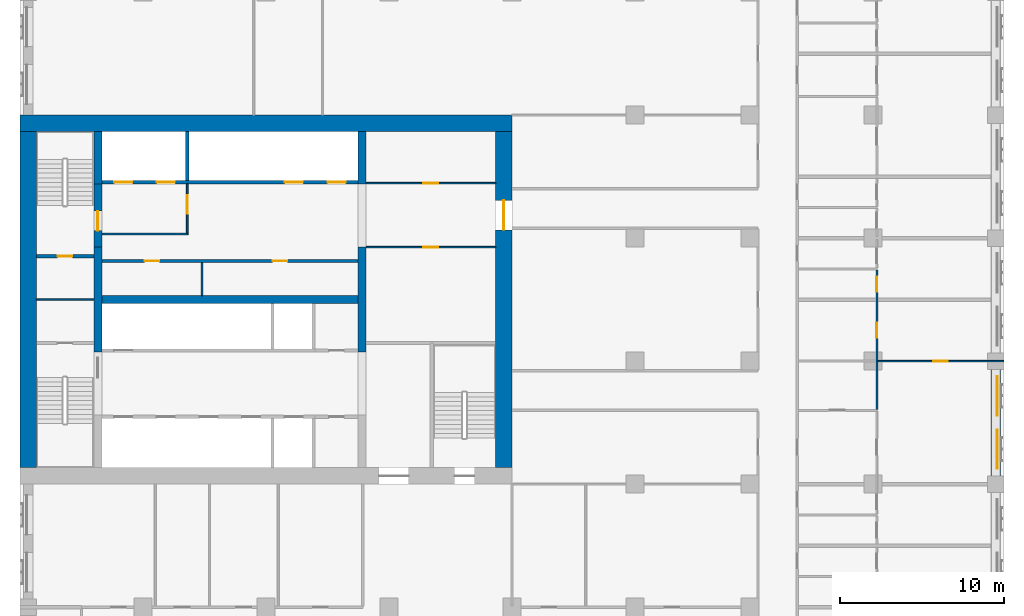
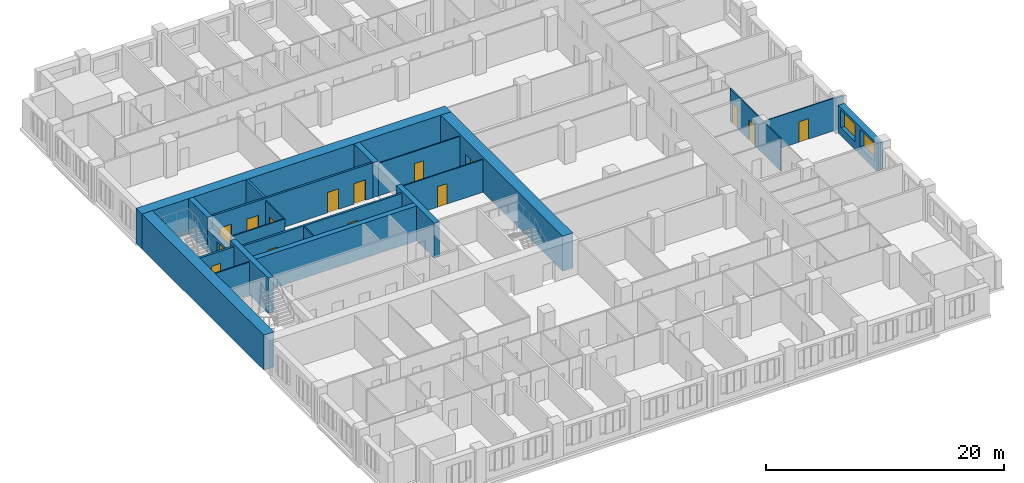
# One storey, part 8 of 15: 22 walls, 15 doors, 2 windows, 17 openings.
"""IFC4 building model written with IfcOpenShell, lengths in metres."""

from ifc_helpers import new_model, si_unit, direction, frame, frame_2d, origin, place, context, subcontext, project, spatial, rectangle, extrude, material, layer, layer_set, type_object, element, fill, save


model = new_model("IFC4")

# Units and contexts
model_context = context("Model", 3, precision=1e-05, world=origin(), true_north=direction((0.0, 1.0)))
body_context = subcontext(model_context, "Body", "Model", "MODEL_VIEW")
ifc_project = project(units=[si_unit("LENGTHUNIT", "METRE"), si_unit("AREAUNIT", "SQUARE_METRE"), si_unit("VOLUMEUNIT", "CUBIC_METRE"), si_unit("PLANEANGLEUNIT", "RADIAN"), si_unit("MASSUNIT", "GRAM", prefix="KILO")], contexts=[model_context])

# Site, building, storey
site_placement = place(None, origin())
site = spatial("IfcSite", under=ifc_project, at=site_placement, CompositionType="ELEMENT")
building_placement = place(site_placement, origin())
building = spatial("IfcBuilding", under=site, at=building_placement, Name="Tamorin Gate", CompositionType="ELEMENT")
storey_placement = place(building_placement, frame((0.0, 0.0, 111.5)))
storey = spatial("IfcBuildingStorey", under=building, at=storey_placement, Name="L27", CompositionType="ELEMENT", Elevation=111.5)

# Wall, openings, windows
ifc_material_1 = material(Name="Precast concrete C40/50", Category="concrete")
ifc_layer_1 = layer(ifc_material_1, 0.60009765625)
ifc_layer_set_1 = layer_set([ifc_layer_1], Name="Precast concrete C40/50")
wall_type_1 = type_object("IfcWallType", Name="Board-marked concrete facade panel 600", PredefinedType="SOLIDWALL", material=ifc_layer_set_1)
wall_1_placement = place(storey_placement, frame((89.5, 60.5, 0.0), z_axis=(0.0, 0.0, 1.0), x_axis=(0.0, 1.0, 0.0)))
wall_1 = element("IfcWall", 1, at=wall_1_placement, inside=storey, type_object=wall_type_1, Name="Facade panel", PredefinedType="SOLIDWALL", context=body_context, shape_type="SweptSolid", body=[
    extrude(rectangle(XDim=6.5, YDim=0.60009765625, at=frame_2d((3.25, 0.0))), origin(), (0.0, 0.0, 1.0), 2.85009765625),
])
opening_1_placement = place(wall_1_placement, frame((0.425048828125, 0.0, 0.800048828125)))
opening_1 = element("IfcOpeningElement", 2, at=opening_1_placement, cuts=wall_1, Name="Opening WN1", PredefinedType="OPENING", context=body_context, shape_type="SweptSolid", body=[
    extrude(rectangle(XDim=2.39990234375, YDim=1.800048828125, at=frame_2d((1.199951171875, 0.89990234375))), frame((0.0, 0.31005859375, 0.0), z_axis=(0.0, -1.0, 0.0), x_axis=(1.0, 0.0, 0.0)), (0.0, 0.0, 1.0), 0.6201171875),
])
opening_2_placement = place(wall_1_placement, frame((3.675048828125, 0.0, 0.800048828125)))
opening_2 = element("IfcOpeningElement", 3, at=opening_2_placement, cuts=wall_1, Name="Opening WN1", PredefinedType="OPENING", context=body_context, shape_type="SweptSolid", body=[
    extrude(rectangle(XDim=2.39990234375, YDim=1.800048828125, at=frame_2d((1.199951171875, 0.89990234375))), frame((0.0, 0.31005859375, 0.0), z_axis=(0.0, -1.0, 0.0), x_axis=(1.0, 0.0, 0.0)), (0.0, 0.0, 1.0), 0.6201171875),
])
ifc_material_2 = material(Name="Clear glass in aluminium frame", Category="aluminium")
window_type = type_object("IfcWindowType", Name="Deep-set window 2400x1800", PartitioningType="SINGLE_PANEL", PredefinedType="WINDOW", material=ifc_material_2)
window_1_placement = place(opening_1_placement, origin())
window_1 = element("IfcWindow", 4, at=window_1_placement, inside=storey, type_object=window_type, Name="Deep-set window", OverallHeight=1.800048828125, OverallWidth=2.39990234375, PartitioningType="SINGLE_PANEL", PredefinedType="WINDOW", context=body_context, shape_type="SweptSolid", body=[
    extrude(rectangle(XDim=2.39990234375, YDim=1.800048828125, at=frame_2d((1.199951171875, 0.89990234375))), frame((0.0, -0.070068359375, 0.0), z_axis=(0.0, -1.0, 0.0), x_axis=(1.0, 0.0, 0.0)), (0.0, 0.0, 1.0), 0.06005859375),
])
fill(opening_1, window_1)
window_2_placement = place(opening_2_placement, origin())
window_2 = element("IfcWindow", 5, at=window_2_placement, inside=storey, type_object=window_type, Name="Deep-set window", OverallHeight=1.800048828125, OverallWidth=2.39990234375, PartitioningType="SINGLE_PANEL", PredefinedType="WINDOW", context=body_context, shape_type="SweptSolid", body=[
    extrude(rectangle(XDim=2.39990234375, YDim=1.800048828125, at=frame_2d((1.199951171875, 0.89990234375))), frame((0.0, -0.070068359375, 0.0), z_axis=(0.0, -1.0, 0.0), x_axis=(1.0, 0.0, 0.0)), (0.0, 0.0, 1.0), 0.06005859375),
])
fill(opening_2, window_2)

# Wall, openings, doors
ifc_material_3 = material(Name="Concrete C32/40", Category="concrete")
ifc_layer_2 = layer(ifc_material_3, 0.199951171875)
ifc_layer_set_2 = layer_set([ifc_layer_2], Name="Lift lobby face wall 200 EI 120")
wall_type_2 = type_object("IfcWallType", Name="Lift lobby face wall 200 EI 120", PredefinedType="SOLIDWALL", material=ifc_layer_set_2)
wall_2_placement = place(storey_placement, frame((35.0, 78.39990234375, 0.0), z_axis=(0.0, 0.0, 1.0), x_axis=(1.0, 0.0, 0.0)))
wall_2 = element("IfcWall", 6, at=wall_2_placement, inside=storey, type_object=wall_type_2, Name="Lift lobby face wall", PredefinedType="SOLIDWALL", context=body_context, shape_type="SweptSolid", body=[
    extrude(rectangle(XDim=15.60009765625, YDim=0.199951171875, at=frame_2d((7.800048828125, 0.0))), origin(), (0.0, 0.0, 1.0), 3.60009765625),
])
opening_3_placement = place(wall_2_placement, frame((0.75, 0.0, 0.0)))
opening_3 = element("IfcOpeningElement", 7, at=opening_3_placement, cuts=wall_2, Name="Opening LD17", PredefinedType="OPENING", context=body_context, shape_type="SweptSolid", body=[
    extrude(rectangle(XDim=1.10009765625, YDim=2.10009765625, at=frame_2d((0.550048828125, 1.050048828125))), frame((0.0, 0.10986328125, 0.0), z_axis=(0.0, -1.0, 0.0), x_axis=(1.0, 0.0, 0.0)), (0.0, 0.0, 1.0), 0.219970703125),
])
opening_4_placement = place(wall_2_placement, frame((3.35009765625, 0.0, 0.0)))
opening_4 = element("IfcOpeningElement", 8, at=opening_4_placement, cuts=wall_2, Name="Opening LD18", PredefinedType="OPENING", context=body_context, shape_type="SweptSolid", body=[
    extrude(rectangle(XDim=1.10009765625, YDim=2.10009765625, at=frame_2d((0.550048828125, 1.050048828125))), frame((0.0, 0.10986328125, 0.0), z_axis=(0.0, -1.0, 0.0), x_axis=(1.0, 0.0, 0.0)), (0.0, 0.0, 1.0), 0.219970703125),
])
opening_5_placement = place(wall_2_placement, frame((11.14990234375, 0.0, 0.0)))
opening_5 = element("IfcOpeningElement", 9, at=opening_5_placement, cuts=wall_2, Name="Opening LD21", PredefinedType="OPENING", context=body_context, shape_type="SweptSolid", body=[
    extrude(rectangle(XDim=1.10009765625, YDim=2.10009765625, at=frame_2d((0.550048828125, 1.050048828125))), frame((0.0, 0.10986328125, 0.0), z_axis=(0.0, -1.0, 0.0), x_axis=(1.0, 0.0, 0.0)), (0.0, 0.0, 1.0), 0.219970703125),
])
opening_6_placement = place(wall_2_placement, frame((13.75, 0.0, 0.0)))
opening_6 = element("IfcOpeningElement", 10, at=opening_6_placement, cuts=wall_2, Name="Opening LD22", PredefinedType="OPENING", context=body_context, shape_type="SweptSolid", body=[
    extrude(rectangle(XDim=1.10009765625, YDim=2.10009765625, at=frame_2d((0.550048828125, 1.050048828125))), frame((0.0, 0.10986328125, 0.0), z_axis=(0.0, -1.0, 0.0), x_axis=(1.0, 0.0, 0.0)), (0.0, 0.0, 1.0), 0.219970703125),
])
ifc_material_4 = material(Name="Stainless steel sliding door", Category="steel")
door_type_1 = type_object("IfcDoorType", Name="Lift landing door 1100 x 2100 E 90", OperationType="DOUBLE_DOOR_SLIDING", PredefinedType="DOOR", material=ifc_material_4)
door_1_placement = place(opening_3_placement, origin())
door_1 = element("IfcDoor", 11, at=door_1_placement, inside=storey, type_object=door_type_1, Name="FF1 landing door", OperationType="DOUBLE_DOOR_SLIDING", OverallHeight=2.10009765625, OverallWidth=1.10009765625, PredefinedType="DOOR", context=body_context, shape_type="SweptSolid", body=[
    extrude(rectangle(XDim=1.10009765625, YDim=2.10009765625, at=frame_2d((0.550048828125, 1.050048828125))), frame((0.0, 0.02490234375, 0.0), z_axis=(0.0, -1.0, 0.0), x_axis=(1.0, 0.0, 0.0)), (0.0, 0.0, 1.0), 0.050048828125),
])
fill(opening_3, door_1)
door_2_placement = place(opening_4_placement, origin())
door_2 = element("IfcDoor", 12, at=door_2_placement, inside=storey, type_object=door_type_1, Name="FF2 landing door", OperationType="DOUBLE_DOOR_SLIDING", OverallHeight=2.10009765625, OverallWidth=1.10009765625, PredefinedType="DOOR", context=body_context, shape_type="SweptSolid", body=[
    extrude(rectangle(XDim=1.10009765625, YDim=2.10009765625, at=frame_2d((0.550048828125, 1.050048828125))), frame((0.0, 0.02490234375, 0.0), z_axis=(0.0, -1.0, 0.0), x_axis=(1.0, 0.0, 0.0)), (0.0, 0.0, 1.0), 0.050048828125),
])
fill(opening_4, door_2)
door_3_placement = place(opening_5_placement, origin())
door_3 = element("IfcDoor", 13, at=door_3_placement, inside=storey, type_object=door_type_1, Name="SV1 landing door", OperationType="DOUBLE_DOOR_SLIDING", OverallHeight=2.10009765625, OverallWidth=1.10009765625, PredefinedType="DOOR", context=body_context, shape_type="SweptSolid", body=[
    extrude(rectangle(XDim=1.10009765625, YDim=2.10009765625, at=frame_2d((0.550048828125, 1.050048828125))), frame((0.0, 0.02490234375, 0.0), z_axis=(0.0, -1.0, 0.0), x_axis=(1.0, 0.0, 0.0)), (0.0, 0.0, 1.0), 0.050048828125),
])
fill(opening_5, door_3)
door_4_placement = place(opening_6_placement, origin())
door_4 = element("IfcDoor", 14, at=door_4_placement, inside=storey, type_object=door_type_1, Name="SV2 landing door", OperationType="DOUBLE_DOOR_SLIDING", OverallHeight=2.10009765625, OverallWidth=1.10009765625, PredefinedType="DOOR", context=body_context, shape_type="SweptSolid", body=[
    extrude(rectangle(XDim=1.10009765625, YDim=2.10009765625, at=frame_2d((0.550048828125, 1.050048828125))), frame((0.0, 0.02490234375, 0.0), z_axis=(0.0, -1.0, 0.0), x_axis=(1.0, 0.0, 0.0)), (0.0, 0.0, 1.0), 0.050048828125),
])
fill(opening_6, door_4)

# Walls
ifc_layer_3 = layer(ifc_material_3, 0.199951171875)
ifc_layer_set_3 = layer_set([ifc_layer_3], Name="Lift shaft wall 200 EI 120")
wall_type_3 = type_object("IfcWallType", Name="Lift shaft wall 200 EI 120", PredefinedType="SOLIDWALL", material=ifc_layer_set_3)
wall_3_placement = place(storey_placement, frame((40.199951171875, 78.5, 0.0), z_axis=(0.0, 0.0, 1.0), x_axis=(0.0, 1.0, 0.0)))
element("IfcWall", 15, at=wall_3_placement, inside=storey, type_object=wall_type_3, Name="Lift shaft wall", PredefinedType="SOLIDWALL", context=body_context, shape_type="SweptSolid", body=[
    extrude(rectangle(XDim=3.0, YDim=0.199951171875, at=frame_2d((1.5, 0.0))), origin(), (0.0, 0.0, 1.0), 3.60009765625),
])
ifc_material_5 = material(Name="Fire-rated gypsum board partition")
ifc_layer_4 = layer(ifc_material_5, 0.10009765625)
ifc_layer_set_4 = layer_set([ifc_layer_4], Name="Lobby wall 100 EI 60")
wall_type_4 = type_object("IfcWallType", Name="Lobby wall 100 EI 60", PredefinedType="PARTITIONING", material=ifc_layer_set_4)
wall_4_placement = place(storey_placement, frame((35.0, 75.25, 0.0), z_axis=(0.0, 0.0, 1.0), x_axis=(1.0, 0.0, 0.0)))
element("IfcWall", 16, at=wall_4_placement, inside=storey, type_object=wall_type_4, Name="Firefighting lobby wall", PredefinedType="PARTITIONING", context=body_context, shape_type="SweptSolid", body=[
    extrude(rectangle(XDim=5.25, YDim=0.10009765625, at=frame_2d((2.625, 0.0))), origin(), (0.0, 0.0, 1.0), 3.35009765625),
])

# Wall, opening, door
wall_5_placement = place(storey_placement, frame((40.199951171875, 75.300048828125, 0.0), z_axis=(0.0, 0.0, 1.0), x_axis=(0.0, 1.0, 0.0)))
wall_5 = element("IfcWall", 17, at=wall_5_placement, inside=storey, type_object=wall_type_4, Name="Firefighting lobby wall", PredefinedType="PARTITIONING", context=body_context, shape_type="SweptSolid", body=[
    extrude(rectangle(XDim=3.0, YDim=0.10009765625, at=frame_2d((1.5, 0.0))), origin(), (0.0, 0.0, 1.0), 3.35009765625),
])
opening_7_placement = place(wall_5_placement, frame((1.199951171875, 0.0, 0.0)))
opening_7 = element("IfcOpeningElement", 18, at=opening_7_placement, cuts=wall_5, Name="Opening DF1", PredefinedType="OPENING", context=body_context, shape_type="SweptSolid", body=[
    extrude(rectangle(XDim=1.10009765625, YDim=2.10009765625, at=frame_2d((0.550048828125, 1.050048828125))), frame((0.0, 0.06005859375, 0.0), z_axis=(0.0, -1.0, 0.0), x_axis=(1.0, 0.0, 0.0)), (0.0, 0.0, 1.0), 0.1201171875),
])
ifc_material_6 = material(Name="Steel fire door", Category="steel")
door_type_2 = type_object("IfcDoorType", Name="Firefighting lobby door 1100 x 2100 EI 90", OperationType="SINGLE_SWING_LEFT", PredefinedType="DOOR", material=ifc_material_6)
door_5_placement = place(opening_7_placement, origin())
door_5 = element("IfcDoor", 19, at=door_5_placement, inside=storey, type_object=door_type_2, Name="Firefighting lobby door", OperationType="SINGLE_SWING_LEFT", OverallHeight=2.10009765625, OverallWidth=1.10009765625, PredefinedType="DOOR", context=body_context, shape_type="SweptSolid", body=[
    extrude(rectangle(XDim=1.10009765625, YDim=2.10009765625, at=frame_2d((0.550048828125, 1.050048828125))), frame((0.0, 0.02490234375, 0.0), z_axis=(0.0, -1.0, 0.0), x_axis=(1.0, 0.0, 0.0)), (0.0, 0.0, 1.0), 0.050048828125),
])
fill(opening_7, door_5)

# Walls
ifc_material_7 = material(Name="Concrete C80/95", Category="concrete")
ifc_layer_5 = layer(ifc_material_7, 0.5)
ifc_layer_set_5 = layer_set([ifc_layer_5], Name="RC core internal wall 500 C80/95")
wall_type_5 = type_object("IfcWallType", Name="RC core internal wall 500 C80/95", PredefinedType="SHEAR", material=ifc_layer_set_5)
wall_6_placement = place(storey_placement, frame((35.0, 71.25, 0.0), z_axis=(0.0, 0.0, 1.0), x_axis=(1.0, 0.0, 0.0)))
element("IfcWall", 20, at=wall_6_placement, inside=storey, type_object=wall_type_5, Name="Core spine wall L27", PredefinedType="SHEAR", context=body_context, shape_type="SweptSolid", body=[
    extrude(rectangle(XDim=15.60009765625, YDim=0.5, at=frame_2d((7.800048828125, 0.0))), origin(), (0.0, 0.0, 1.0), 3.60009765625),
])
wall_7_placement = place(storey_placement, frame((34.75, 68.050048828125, 0.0), z_axis=(0.0, 0.0, 1.0), x_axis=(0.0, 1.0, 0.0)))
element("IfcWall", 21, at=wall_7_placement, inside=storey, type_object=wall_type_5, Name="Core cross wall L27", PredefinedType="SHEAR", context=body_context, shape_type="SweptSolid", body=[
    extrude(rectangle(XDim=6.39990234375, YDim=0.5, at=frame_2d((3.199951171875, 0.0))), origin(), (0.0, 0.0, 1.0), 3.60009765625),
])
wall_8_placement = place(storey_placement, frame((34.75, 78.300048828125, 0.0), z_axis=(0.0, 0.0, 1.0), x_axis=(0.0, 1.0, 0.0)))
element("IfcWall", 22, at=wall_8_placement, inside=storey, type_object=wall_type_5, Name="Core cross wall L27", PredefinedType="SHEAR", context=body_context, shape_type="SweptSolid", body=[
    extrude(rectangle(XDim=3.199951171875, YDim=0.5, at=frame_2d((1.60009765625, 0.0))), origin(), (0.0, 0.0, 1.0), 3.60009765625),
])
wall_9_placement = place(storey_placement, frame((50.85009765625, 68.050048828125, 0.0), z_axis=(0.0, 0.0, 1.0), x_axis=(0.0, 1.0, 0.0)))
element("IfcWall", 23, at=wall_9_placement, inside=storey, type_object=wall_type_5, Name="Core cross wall L27", PredefinedType="SHEAR", context=body_context, shape_type="SweptSolid", body=[
    extrude(rectangle(XDim=6.39990234375, YDim=0.5, at=frame_2d((3.199951171875, 0.0))), origin(), (0.0, 0.0, 1.0), 3.60009765625),
])
wall_10_placement = place(storey_placement, frame((50.85009765625, 78.300048828125, 0.0), z_axis=(0.0, 0.0, 1.0), x_axis=(0.0, 1.0, 0.0)))
element("IfcWall", 24, at=wall_10_placement, inside=storey, type_object=wall_type_5, Name="Core cross wall L27", PredefinedType="SHEAR", context=body_context, shape_type="SweptSolid", body=[
    extrude(rectangle(XDim=3.199951171875, YDim=0.5, at=frame_2d((1.60009765625, 0.0))), origin(), (0.0, 0.0, 1.0), 3.60009765625),
])
ifc_layer_6 = layer(ifc_material_7, 1.0)
ifc_layer_set_6 = layer_set([ifc_layer_6], Name="RC core wall 1000 C80/95")
wall_type_6 = type_object("IfcWallType", Name="RC core wall 1000 C80/95", PredefinedType="SHEAR", material=ifc_layer_set_6)
wall_11_placement = place(storey_placement, frame((30.0, 82.0, 0.0), z_axis=(0.0, 0.0, 1.0), x_axis=(1.0, 0.0, 0.0)))
element("IfcWall", 25, at=wall_11_placement, inside=storey, type_object=wall_type_6, Name="Core wall L27", PredefinedType="SHEAR", context=body_context, shape_type="SweptSolid", body=[
    extrude(rectangle(XDim=30.0, YDim=1.0, at=frame_2d((15.0, 0.0))), origin(), (0.0, 0.0, 1.0), 3.60009765625),
])
wall_12_placement = place(storey_placement, frame((30.5, 61.0, 0.0), z_axis=(0.0, 0.0, 1.0), x_axis=(0.0, 1.0, 0.0)))
element("IfcWall", 26, at=wall_12_placement, inside=storey, type_object=wall_type_6, Name="Core wall L27", PredefinedType="SHEAR", context=body_context, shape_type="SweptSolid", body=[
    extrude(rectangle(XDim=20.5, YDim=1.0, at=frame_2d((10.25, 0.0))), origin(), (0.0, 0.0, 1.0), 3.60009765625),
])

# Wall, opening, door
wall_13_placement = place(storey_placement, frame((59.5, 61.0, 0.0), z_axis=(0.0, 0.0, 1.0), x_axis=(0.0, 1.0, 0.0)))
wall_13 = element("IfcWall", 27, at=wall_13_placement, inside=storey, type_object=wall_type_6, Name="Core wall L27", PredefinedType="SHEAR", context=body_context, shape_type="SweptSolid", body=[
    extrude(rectangle(XDim=20.5, YDim=1.0, at=frame_2d((10.25, 0.0))), origin(), (0.0, 0.0, 1.0), 3.60009765625),
])
opening_8_placement = place(wall_13_placement, frame((14.5, 0.0, 0.0)))
opening_8 = element("IfcOpeningElement", 28, at=opening_8_placement, cuts=wall_13, Name="Opening DE1", PredefinedType="OPENING", context=body_context, shape_type="SweptSolid", body=[
    extrude(rectangle(XDim=1.800048828125, YDim=2.10009765625, at=frame_2d((0.89990234375, 1.050048828125))), frame((0.0, 0.510009765625, 0.0), z_axis=(0.0, -1.0, 0.0), x_axis=(1.0, 0.0, 0.0)), (0.0, 0.0, 1.0), 1.02001953125),
])
door_type_3 = type_object("IfcDoorType", Name="Lobby exit double door 1800 x 2100 EI 60", OperationType="DOUBLE_DOOR_SINGLE_SWING", PredefinedType="DOOR", material=ifc_material_6)
door_6_placement = place(opening_8_placement, origin())
door_6 = element("IfcDoor", 29, at=door_6_placement, inside=storey, type_object=door_type_3, Name="Lift lobby B exit door", OperationType="DOUBLE_DOOR_SINGLE_SWING", OverallHeight=2.10009765625, OverallWidth=1.800048828125, PredefinedType="DOOR", context=body_context, shape_type="SweptSolid", body=[
    extrude(rectangle(XDim=1.800048828125, YDim=2.10009765625, at=frame_2d((0.89990234375, 1.050048828125))), frame((0.0, 0.02490234375, 0.0), z_axis=(0.0, -1.0, 0.0), x_axis=(1.0, 0.0, 0.0)), (0.0, 0.0, 1.0), 0.050048828125),
])
fill(opening_8, door_6)

# Wall
ifc_layer_7 = layer(ifc_material_5, 0.10009765625)
ifc_layer_set_7 = layer_set([ifc_layer_7], Name="Riser partition 100 EI 120")
wall_type_7 = type_object("IfcWallType", Name="Riser partition 100 EI 120", PredefinedType="PARTITIONING", material=ifc_layer_set_7)
wall_14_placement = place(storey_placement, frame((31.0, 71.25, 0.0), z_axis=(0.0, 0.0, 1.0), x_axis=(1.0, 0.0, 0.0)))
element("IfcWall", 30, at=wall_14_placement, inside=storey, type_object=wall_type_7, Name="Riser partition", PredefinedType="PARTITIONING", context=body_context, shape_type="SweptSolid", body=[
    extrude(rectangle(XDim=3.5, YDim=0.10009765625, at=frame_2d((1.75, 0.0))), origin(), (0.0, 0.0, 1.0), 3.35009765625),
])

# Wall, opening, door
ifc_material_8 = material(Name="Gypsum board partition")
ifc_layer_8 = layer(ifc_material_8, 0.10009765625)
ifc_layer_set_8 = layer_set([ifc_layer_8], Name="Room partition 100")
wall_type_8 = type_object("IfcWallType", Name="Room partition 100", PredefinedType="PARTITIONING", material=ifc_layer_set_8)
wall_15_placement = place(storey_placement, frame((82.3125, 67.5, 0.0), z_axis=(0.0, 0.0, 1.0), x_axis=(1.0, 0.0, 0.0)))
wall_15 = element("IfcWall", 31, at=wall_15_placement, inside=storey, type_object=wall_type_8, Name="Room partition 100", PredefinedType="PARTITIONING", context=body_context, shape_type="SweptSolid", body=[
    extrude(rectangle(XDim=7.6875, YDim=0.10009765625, at=frame_2d((3.84375, 0.0))), origin(), (0.0, 0.0, 1.0), 3.35009765625),
])
opening_9_placement = place(wall_15_placement, frame((3.362548828125, 0.0, 0.0)))
opening_9 = element("IfcOpeningElement", 32, at=opening_9_placement, cuts=wall_15, Name="Opening DH6061", PredefinedType="OPENING", context=body_context, shape_type="SweptSolid", body=[
    extrude(rectangle(XDim=0.89990234375, YDim=2.10009765625, at=frame_2d((0.449951171875, 1.050048828125))), frame((0.0, 0.06005859375, 0.0), z_axis=(0.0, -1.0, 0.0), x_axis=(1.0, 0.0, 0.0)), (0.0, 0.0, 1.0), 0.1201171875),
])
ifc_material_9 = material(Name="Timber door leaf", Category="wood")
door_type_4 = type_object("IfcDoorType", Name="Door 900 x 2100", OperationType="NOTDEFINED", PredefinedType="DOOR", material=ifc_material_9)
door_7_placement = place(opening_9_placement, origin())
door_7 = element("IfcDoor", 33, at=door_7_placement, inside=storey, type_object=door_type_4, Name="Door DH6061", OperationType="SINGLE_SWING_RIGHT", OverallHeight=2.10009765625, OverallWidth=0.89990234375, PredefinedType="DOOR", context=body_context, shape_type="SweptSolid", body=[
    extrude(rectangle(XDim=0.89990234375, YDim=2.10009765625, at=frame_2d((0.449951171875, 1.050048828125))), frame((0.0, 0.02490234375, 0.0), z_axis=(0.0, -1.0, 0.0), x_axis=(1.0, 0.0, 0.0)), (0.0, 0.0, 1.0), 0.050048828125),
])
fill(opening_9, door_7)

# Wall, openings, doors
ifc_layer_9 = layer(ifc_material_8, 0.199951171875)
ifc_layer_set_9 = layer_set([ifc_layer_9], Name="Service room face wall 200 EI 60")
wall_type_9 = type_object("IfcWallType", Name="Service room face wall 200 EI 60", PredefinedType="PARTITIONING", material=ifc_layer_set_9)
wall_16_placement = place(storey_placement, frame((35.0, 73.60009765625, 0.0), z_axis=(0.0, 0.0, 1.0), x_axis=(1.0, 0.0, 0.0)))
wall_16 = element("IfcWall", 34, at=wall_16_placement, inside=storey, type_object=wall_type_9, Name="Service room face wall", PredefinedType="PARTITIONING", context=body_context, shape_type="SweptSolid", body=[
    extrude(rectangle(XDim=15.60009765625, YDim=0.199951171875, at=frame_2d((7.800048828125, 0.0))), origin(), (0.0, 0.0, 1.0), 3.35009765625),
])
opening_10_placement = place(wall_16_placement, frame((2.60009765625, 0.0, 0.0)))
opening_10 = element("IfcOpeningElement", 35, at=opening_10_placement, cuts=wall_16, Name="Opening DK1", PredefinedType="OPENING", context=body_context, shape_type="SweptSolid", body=[
    extrude(rectangle(XDim=0.89990234375, YDim=2.10009765625, at=frame_2d((0.449951171875, 1.050048828125))), frame((0.0, 0.10986328125, 0.0), z_axis=(0.0, -1.0, 0.0), x_axis=(1.0, 0.0, 0.0)), (0.0, 0.0, 1.0), 0.219970703125),
])
opening_11_placement = place(wall_16_placement, frame((10.39990234375, 0.0, 0.0)))
opening_11 = element("IfcOpeningElement", 36, at=opening_11_placement, cuts=wall_16, Name="Opening DK1", PredefinedType="OPENING", context=body_context, shape_type="SweptSolid", body=[
    extrude(rectangle(XDim=0.89990234375, YDim=2.10009765625, at=frame_2d((0.449951171875, 1.050048828125))), frame((0.0, 0.10986328125, 0.0), z_axis=(0.0, -1.0, 0.0), x_axis=(1.0, 0.0, 0.0)), (0.0, 0.0, 1.0), 0.219970703125),
])
ifc_material_10 = material(Name="Timber fire door", Category="wood")
door_type_5 = type_object("IfcDoorType", Name="Service room door 900 x 2100 EI 60", OperationType="SINGLE_SWING_LEFT", PredefinedType="DOOR", material=ifc_material_10)
door_8_placement = place(opening_10_placement, origin())
door_8 = element("IfcDoor", 37, at=door_8_placement, inside=storey, type_object=door_type_5, Name="Door Cleaner's store", OperationType="SINGLE_SWING_LEFT", OverallHeight=2.10009765625, OverallWidth=0.89990234375, PredefinedType="DOOR", context=body_context, shape_type="SweptSolid", body=[
    extrude(rectangle(XDim=0.89990234375, YDim=2.10009765625, at=frame_2d((0.449951171875, 1.050048828125))), frame((0.0, 0.02490234375, 0.0), z_axis=(0.0, -1.0, 0.0), x_axis=(1.0, 0.0, 0.0)), (0.0, 0.0, 1.0), 0.050048828125),
])
fill(opening_10, door_8)
door_9_placement = place(opening_11_placement, origin())
door_9 = element("IfcDoor", 38, at=door_9_placement, inside=storey, type_object=door_type_5, Name="Door Pantry", OperationType="SINGLE_SWING_RIGHT", OverallHeight=2.10009765625, OverallWidth=0.89990234375, PredefinedType="DOOR", context=body_context, shape_type="SweptSolid", body=[
    extrude(rectangle(XDim=0.89990234375, YDim=2.10009765625, at=frame_2d((0.449951171875, 1.050048828125))), frame((0.0, 0.02490234375, 0.0), z_axis=(0.0, -1.0, 0.0), x_axis=(1.0, 0.0, 0.0)), (0.0, 0.0, 1.0), 0.050048828125),
])
fill(opening_11, door_9)

# Wall
ifc_layer_10 = layer(ifc_material_8, 0.10009765625)
ifc_layer_set_10 = layer_set([ifc_layer_10], Name="Service room partition 100 EI 60")
wall_type_10 = type_object("IfcWallType", Name="Service room partition 100 EI 60", PredefinedType="PARTITIONING", material=ifc_layer_set_10)
wall_17_placement = place(storey_placement, frame((41.10009765625, 71.5, 0.0), z_axis=(0.0, 0.0, 1.0), x_axis=(0.0, 1.0, 0.0)))
element("IfcWall", 39, at=wall_17_placement, inside=storey, type_object=wall_type_10, Name="Service room partition", PredefinedType="PARTITIONING", context=body_context, shape_type="SweptSolid", body=[
    extrude(rectangle(XDim=2.0, YDim=0.10009765625, at=frame_2d((1.0, 0.0))), origin(), (0.0, 0.0, 1.0), 3.35009765625),
])

# Wall, opening, door
wall_18_placement = place(storey_placement, frame((51.10009765625, 74.449951171875, 0.0), z_axis=(0.0, 0.0, 1.0), x_axis=(1.0, 0.0, 0.0)))
wall_18 = element("IfcWall", 40, at=wall_18_placement, inside=storey, type_object=wall_type_10, Name="Service room wall", PredefinedType="PARTITIONING", context=body_context, shape_type="SweptSolid", body=[
    extrude(rectangle(XDim=7.89990234375, YDim=0.10009765625, at=frame_2d((3.949951171875, 0.0))), origin(), (0.0, 0.0, 1.0), 3.35009765625),
])
opening_12_placement = place(wall_18_placement, frame((3.5, 0.0, 0.0)))
opening_12 = element("IfcOpeningElement", 41, at=opening_12_placement, cuts=wall_18, Name="Opening DR1", PredefinedType="OPENING", context=body_context, shape_type="SweptSolid", body=[
    extrude(rectangle(XDim=0.89990234375, YDim=2.10009765625, at=frame_2d((0.449951171875, 1.050048828125))), frame((0.0, 0.06005859375, 0.0), z_axis=(0.0, -1.0, 0.0), x_axis=(1.0, 0.0, 0.0)), (0.0, 0.0, 1.0), 0.1201171875),
])
door_type_6 = type_object("IfcDoorType", Name="Riser access door 900 x 2100 EI 120", OperationType="SINGLE_SWING_LEFT", PredefinedType="DOOR", material=ifc_material_6)
door_10_placement = place(opening_12_placement, origin())
door_10 = element("IfcDoor", 42, at=door_10_placement, inside=storey, type_object=door_type_6, Name="Duct riser door", OperationType="SINGLE_SWING_LEFT", OverallHeight=2.10009765625, OverallWidth=0.89990234375, PredefinedType="DOOR", context=body_context, shape_type="SweptSolid", body=[
    extrude(rectangle(XDim=0.89990234375, YDim=2.10009765625, at=frame_2d((0.449951171875, 1.050048828125))), frame((0.0, 0.02490234375, 0.0), z_axis=(0.0, -1.0, 0.0), x_axis=(1.0, 0.0, 0.0)), (0.0, 0.0, 1.0), 0.050048828125),
])
fill(opening_12, door_10)

wall_19_placement = place(storey_placement, frame((51.10009765625, 78.35009765625, 0.0), z_axis=(0.0, 0.0, 1.0), x_axis=(1.0, 0.0, 0.0)))
wall_19 = element("IfcWall", 43, at=wall_19_placement, inside=storey, type_object=wall_type_10, Name="Service room wall", PredefinedType="PARTITIONING", context=body_context, shape_type="SweptSolid", body=[
    extrude(rectangle(XDim=7.89990234375, YDim=0.10009765625, at=frame_2d((3.949951171875, 0.0))), origin(), (0.0, 0.0, 1.0), 3.35009765625),
])
opening_13_placement = place(wall_19_placement, frame((3.5, 0.0, 0.0)))
opening_13 = element("IfcOpeningElement", 44, at=opening_13_placement, cuts=wall_19, Name="Opening DK1", PredefinedType="OPENING", context=body_context, shape_type="SweptSolid", body=[
    extrude(rectangle(XDim=0.89990234375, YDim=2.10009765625, at=frame_2d((0.449951171875, 1.050048828125))), frame((0.0, 0.06005859375, 0.0), z_axis=(0.0, -1.0, 0.0), x_axis=(1.0, 0.0, 0.0)), (0.0, 0.0, 1.0), 0.1201171875),
])
door_11_placement = place(opening_13_placement, origin())
door_11 = element("IfcDoor", 45, at=door_11_placement, inside=storey, type_object=door_type_5, Name="Door Store", OperationType="SINGLE_SWING_LEFT", OverallHeight=2.10009765625, OverallWidth=0.89990234375, PredefinedType="DOOR", context=body_context, shape_type="SweptSolid", body=[
    extrude(rectangle(XDim=0.89990234375, YDim=2.10009765625, at=frame_2d((0.449951171875, 1.050048828125))), frame((0.0, 0.02490234375, 0.0), z_axis=(0.0, -1.0, 0.0), x_axis=(1.0, 0.0, 0.0)), (0.0, 0.0, 1.0), 0.050048828125),
])
fill(opening_13, door_11)

ifc_material_11 = material(Name="Concrete C40/50", Category="concrete")
ifc_layer_11 = layer(ifc_material_11, 0.199951171875)
ifc_layer_set_11 = layer_set([ifc_layer_11], Name="Stair enclosure wall 200 EI 120 C40/50")
wall_type_11 = type_object("IfcWallType", Name="Stair enclosure wall 200 EI 120 C40/50", PredefinedType="SOLIDWALL", material=ifc_layer_set_11)
wall_20_placement = place(storey_placement, frame((31.0, 73.89990234375, 0.0), z_axis=(0.0, 0.0, 1.0), x_axis=(1.0, 0.0, 0.0)))
wall_20 = element("IfcWall", 46, at=wall_20_placement, inside=storey, type_object=wall_type_11, Name="Stair enclosure wall", PredefinedType="SOLIDWALL", context=body_context, shape_type="SweptSolid", body=[
    extrude(rectangle(XDim=3.5, YDim=0.199951171875, at=frame_2d((1.75, 0.0))), origin(), (0.0, 0.0, 1.0), 3.35009765625),
])
opening_14_placement = place(wall_20_placement, frame((1.300048828125, 0.0, 0.0)))
opening_14 = element("IfcOpeningElement", 47, at=opening_14_placement, cuts=wall_20, Name="Opening DR1", PredefinedType="OPENING", context=body_context, shape_type="SweptSolid", body=[
    extrude(rectangle(XDim=0.89990234375, YDim=2.10009765625, at=frame_2d((0.449951171875, 1.050048828125))), frame((0.0, 0.10986328125, 0.0), z_axis=(0.0, -1.0, 0.0), x_axis=(1.0, 0.0, 0.0)), (0.0, 0.0, 1.0), 0.219970703125),
])
door_12_placement = place(opening_14_placement, origin())
door_12 = element("IfcDoor", 48, at=door_12_placement, inside=storey, type_object=door_type_6, Name="Communications riser door", OperationType="SINGLE_SWING_RIGHT", OverallHeight=2.10009765625, OverallWidth=0.89990234375, PredefinedType="DOOR", context=body_context, shape_type="SweptSolid", body=[
    extrude(rectangle(XDim=0.89990234375, YDim=2.10009765625, at=frame_2d((0.449951171875, 1.050048828125))), frame((0.0, 0.02490234375, 0.0), z_axis=(0.0, -1.0, 0.0), x_axis=(1.0, 0.0, 0.0)), (0.0, 0.0, 1.0), 0.050048828125),
])
fill(opening_14, door_12)

ifc_layer_12 = layer(ifc_material_3, 0.5)
ifc_layer_set_12 = layer_set([ifc_layer_12], Name="Stair lobby infill wall 500 EI 120")
wall_type_12 = type_object("IfcWallType", Name="Stair lobby infill wall 500 EI 120", PredefinedType="SOLIDWALL", material=ifc_layer_set_12)
wall_21_placement = place(storey_placement, frame((34.75, 74.449951171875, 0.0), z_axis=(0.0, 0.0, 1.0), x_axis=(0.0, 1.0, 0.0)))
wall_21 = element("IfcWall", 49, at=wall_21_placement, inside=storey, type_object=wall_type_12, Name="Stair lobby infill wall", PredefinedType="SOLIDWALL", context=body_context, shape_type="SweptSolid", body=[
    extrude(rectangle(XDim=3.85009765625, YDim=0.5, at=frame_2d((1.925048828125, 0.0))), origin(), (0.0, 0.0, 1.0), 2.39990234375),
])
opening_15_placement = place(wall_21_placement, frame((1.0, 0.0, 0.0)))
opening_15 = element("IfcOpeningElement", 50, at=opening_15_placement, cuts=wall_21, Name="Opening DS1", PredefinedType="OPENING", context=body_context, shape_type="SweptSolid", body=[
    extrude(rectangle(XDim=1.199951171875, YDim=2.10009765625, at=frame_2d((0.60009765625, 1.050048828125))), frame((0.0, 0.260009765625, 0.0), z_axis=(0.0, -1.0, 0.0), x_axis=(1.0, 0.0, 0.0)), (0.0, 0.0, 1.0), 0.52001953125),
])
door_type_7 = type_object("IfcDoorType", Name="Stair door 1200 x 2100 EI 90", OperationType="SINGLE_SWING_LEFT", PredefinedType="DOOR", material=ifc_material_6)
door_13_placement = place(opening_15_placement, origin())
door_13 = element("IfcDoor", 51, at=door_13_placement, inside=storey, type_object=door_type_7, Name="ST2 door", OperationType="SINGLE_SWING_RIGHT", OverallHeight=2.10009765625, OverallWidth=1.199951171875, PredefinedType="DOOR", context=body_context, shape_type="SweptSolid", body=[
    extrude(rectangle(XDim=1.199951171875, YDim=2.10009765625, at=frame_2d((0.60009765625, 1.050048828125))), frame((0.0, 0.02490234375, 0.0), z_axis=(0.0, -1.0, 0.0), x_axis=(1.0, 0.0, 0.0)), (0.0, 0.0, 1.0), 0.050048828125),
])
fill(opening_15, door_13)

# Wall, openings, doors
ifc_layer_13 = layer(ifc_material_8, 0.125)
ifc_layer_set_13 = layer_set([ifc_layer_13], Name="Wet wall 125")
wall_type_13 = type_object("IfcWallType", Name="Wet wall 125", PredefinedType="PARTITIONING", material=ifc_layer_set_13)
wall_22_placement = place(storey_placement, frame((82.25, 64.5625, 0.0), z_axis=(0.0, 0.0, 1.0), x_axis=(0.0, 1.0, 0.0)))
wall_22 = element("IfcWall", 52, at=wall_22_placement, inside=storey, type_object=wall_type_13, Name="Wet wall 125", PredefinedType="PARTITIONING", context=body_context, shape_type="SweptSolid", body=[
    extrude(rectangle(XDim=8.5, YDim=0.125, at=frame_2d((4.25, 0.0))), origin(), (0.0, 0.0, 1.0), 3.35009765625),
])
opening_16_placement = place(wall_22_placement, frame((4.362548828125, 0.0, 0.0)))
opening_16 = element("IfcOpeningElement", 53, at=opening_16_placement, cuts=wall_22, Name="Opening DH6060", PredefinedType="OPENING", context=body_context, shape_type="SweptSolid", body=[
    extrude(rectangle(XDim=0.89990234375, YDim=2.10009765625, at=frame_2d((0.449951171875, 1.050048828125))), frame((0.0, 0.072509765625, 0.0), z_axis=(0.0, -1.0, 0.0), x_axis=(1.0, 0.0, 0.0)), (0.0, 0.0, 1.0), 0.14501953125),
])
opening_17_placement = place(wall_22_placement, frame((7.175048828125, 0.0, 0.0)))
opening_17 = element("IfcOpeningElement", 54, at=opening_17_placement, cuts=wall_22, Name="Opening DH6062", PredefinedType="OPENING", context=body_context, shape_type="SweptSolid", body=[
    extrude(rectangle(XDim=0.89990234375, YDim=2.10009765625, at=frame_2d((0.449951171875, 1.050048828125))), frame((0.0, 0.072509765625, 0.0), z_axis=(0.0, -1.0, 0.0), x_axis=(1.0, 0.0, 0.0)), (0.0, 0.0, 1.0), 0.14501953125),
])
door_14_placement = place(opening_16_placement, origin())
door_14 = element("IfcDoor", 55, at=door_14_placement, inside=storey, type_object=door_type_4, Name="Door DH6060", OperationType="SINGLE_SWING_LEFT", OverallHeight=2.10009765625, OverallWidth=0.89990234375, PredefinedType="DOOR", context=body_context, shape_type="SweptSolid", body=[
    extrude(rectangle(XDim=0.89990234375, YDim=2.10009765625, at=frame_2d((0.449951171875, 1.050048828125))), frame((0.0, 0.02490234375, 0.0), z_axis=(0.0, -1.0, 0.0), x_axis=(1.0, 0.0, 0.0)), (0.0, 0.0, 1.0), 0.050048828125),
])
fill(opening_16, door_14)
door_15_placement = place(opening_17_placement, origin())
door_15 = element("IfcDoor", 56, at=door_15_placement, inside=storey, type_object=door_type_4, Name="Door DH6062", OperationType="SINGLE_SWING_LEFT", OverallHeight=2.10009765625, OverallWidth=0.89990234375, PredefinedType="DOOR", context=body_context, shape_type="SweptSolid", body=[
    extrude(rectangle(XDim=0.89990234375, YDim=2.10009765625, at=frame_2d((0.449951171875, 1.050048828125))), frame((0.0, 0.02490234375, 0.0), z_axis=(0.0, -1.0, 0.0), x_axis=(1.0, 0.0, 0.0)), (0.0, 0.0, 1.0), 0.050048828125),
])
fill(opening_17, door_15)

save(model, "model.ifc")
